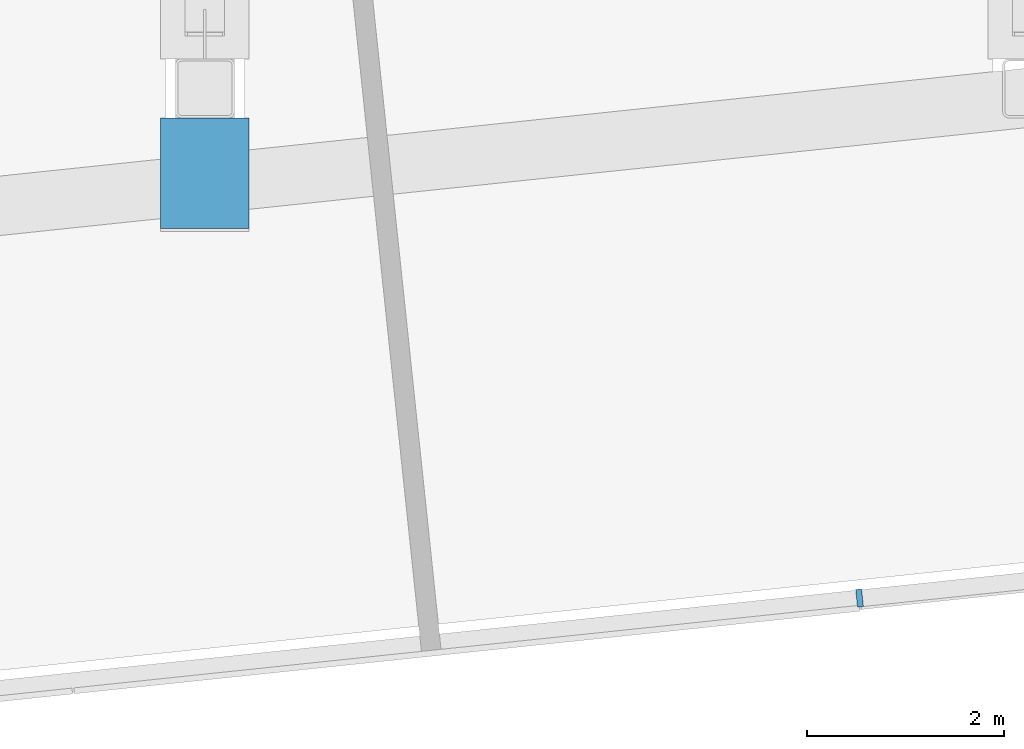
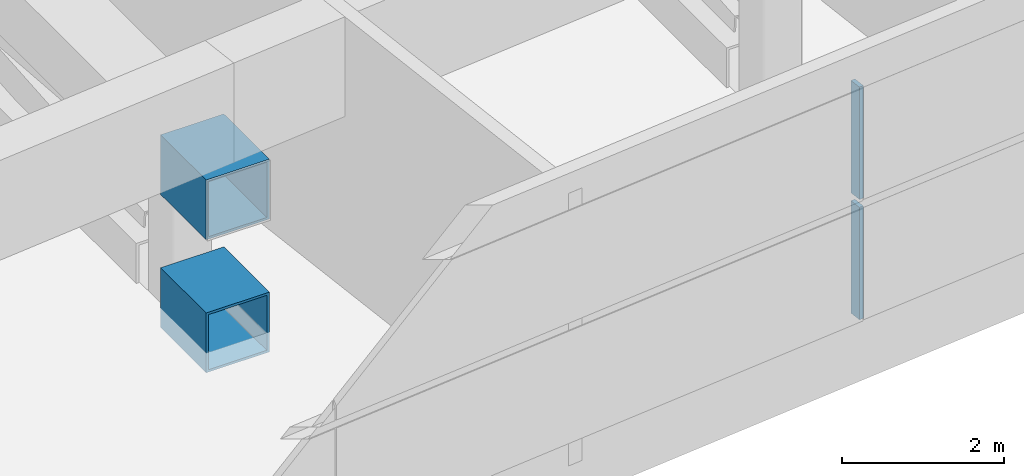
# One storey, part 5 of 33: 4 members, 1 element without a shape of its own.
"""IFC4 building model written with IfcOpenShell, lengths in metres."""

from ifc_helpers import new_model, si_unit, direction, frame, origin, origin_2d, place, context, subcontext, project, spatial, rectangle, hollow_rectangle, extrude, material, layer, layer_set, material_profile, profile_set, type_object, element, aggregate, save


model = new_model("IFC4")

# Units and contexts
model_context = context("Model", 3, precision=1e-05, world=origin(), true_north=direction((0.0, 1.0)))
body_context = subcontext(model_context, "Body", "Model", "MODEL_VIEW")
ifc_project = project(units=[si_unit("LENGTHUNIT", "METRE"), si_unit("AREAUNIT", "SQUARE_METRE"), si_unit("VOLUMEUNIT", "CUBIC_METRE"), si_unit("PLANEANGLEUNIT", "RADIAN"), si_unit("MASSUNIT", "GRAM", prefix="KILO")], contexts=[model_context])

# Site, building, storey
site_placement = place(None, origin())
site = spatial("IfcSite", under=ifc_project, at=site_placement, CompositionType="ELEMENT")
building_placement = place(site_placement, origin())
building = spatial("IfcBuilding", under=site, at=building_placement, Name="Hakoniwa Tower and Hamabe Station Hall", CompositionType="ELEMENT")
storey_placement = place(building_placement, frame((0.0, 0.0, 228.199951171875)))
storey = spatial("IfcBuildingStorey", under=building, at=storey_placement, Name="L65", CompositionType="ELEMENT", Elevation=228.199951171875)

# Curtain wall, members
ifc_material_1 = material(Name="Dark low-e laminated glass", Category="glass")
ifc_layer = layer(ifc_material_1, 0.199951171875)
ifc_layer_set = layer_set([ifc_layer], Name="CW-6 PLANT LOUVRE")
curtain_wall_type = type_object("IfcCurtainWallType", Name="CW-6 PLANT LOUVRE", PredefinedType="NOTDEFINED", material=ifc_layer_set)
curtain_wall_placement = place(storey_placement, origin())
curtain_wall = element("IfcCurtainWall", 1, at=curtain_wall_placement, inside=storey, type_object=curtain_wall_type, Name="CW-6 curtain wall", PredefinedType="NOTDEFINED")
ifc_material_2 = material(Name="Aluminium 6063-T5 black anodised", Category="aluminium")
ifc_material_profile_1 = material_profile(ifc_material_2, rectangle(XDim=0.06005859375, YDim=0.179931640625, at=origin_2d()), Name="CW-1 MULLION 60X180")
ifc_profile_set_1 = profile_set([ifc_material_profile_1], Name="Aluminium 6063-T5 black anodised")
member_type_1 = type_object("IfcMemberType", Name="CW-1 MULLION 60X180", PredefinedType="MULLION", material=ifc_profile_set_1)
member_1_placement = place(storey_placement, frame((-1.7529296875, -19.27490234375, 0.35009765625), z_axis=(0.0, 0.0, 1.0), x_axis=(0.994521895328, 0.10452846365, 0.0)))
member_1 = element("IfcMember", 2, at=member_1_placement, type_object=member_type_1, Name="CW-6 mullion", PredefinedType="MULLION", context=body_context, shape_type="SweptSolid", body=[
    extrude(rectangle(XDim=0.06005859375, YDim=0.179931640625, at=origin_2d()), origin(), (0.0, 0.0, 1.0), 1.68994140625),
])
member_2_placement = place(storey_placement, frame((-1.7529296875, -19.27490234375, 2.16015625), z_axis=(0.0, 0.0, 1.0), x_axis=(0.994521895328, 0.10452846365, 0.0)))
member_2 = element("IfcMember", 3, at=member_2_placement, type_object=member_type_1, Name="CW-6 mullion", PredefinedType="MULLION", context=body_context, shape_type="SweptSolid", body=[
    extrude(rectangle(XDim=0.06005859375, YDim=0.179931640625, at=origin_2d()), origin(), (0.0, 0.0, 1.0), 1.68994140625),
])
aggregate(curtain_wall, [member_1, member_2])

# Members
ifc_material_3 = material(Name="Steel SN490C", Category="steel")
ifc_material_profile_2 = material_profile(ifc_material_3, hollow_rectangle(XDim=0.89990234375, YDim=0.89990234375, WallThickness=0.035888671875, at=origin_2d()), Name="BX-900x900x36")
ifc_profile_set_2 = profile_set([ifc_material_profile_2], Name="Steel SN490C")
member_type_2 = type_object("IfcMemberType", Name="TRUSS CHORD BX-900x900x36", PredefinedType="CHORD", material=ifc_profile_set_2)
for number, where, z_axis, x_axis, name in (
    (4, (-8.39990234375, -15.52392578125, 0.150146484375), (0.0, 1.0, 0.0), (-1.0, 0.0, 0.0), "Truss T4-09-BCL"),
    (5, (-8.39990234375, -15.52392578125, 2.150146484375), (0.0, 1.0, 0.0), (-1.0, 0.0, 0.0), "Truss T4-09-TCL"),
):
    element("IfcMember", number, at=place(storey_placement, frame(where, z_axis=z_axis, x_axis=x_axis)), inside=storey, type_object=member_type_2, Name=name, PredefinedType="CHORD", context=body_context, shape_type="SweptSolid", body=[
        extrude(hollow_rectangle(XDim=0.89990234375, YDim=0.89990234375, WallThickness=0.035888671875, at=origin_2d()), origin(), (0.0, 0.0, 1.0), 1.1240234375),
    ])

save(model, "model.ifc")
